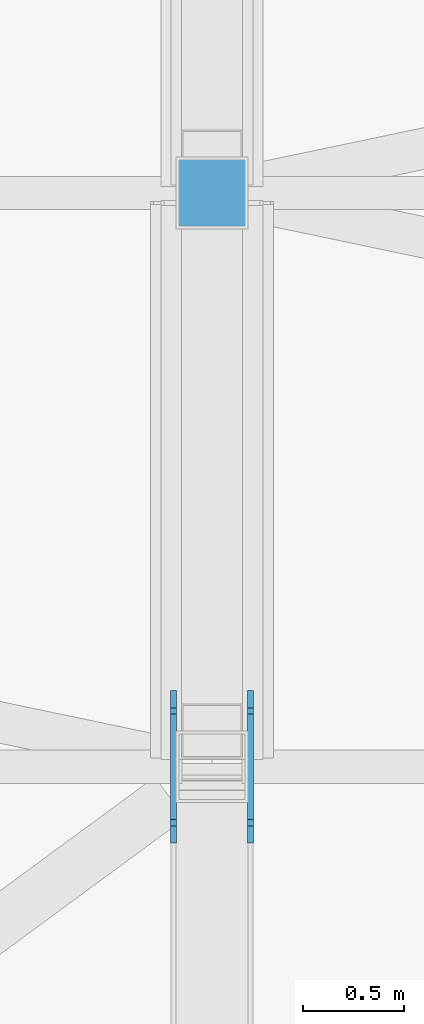
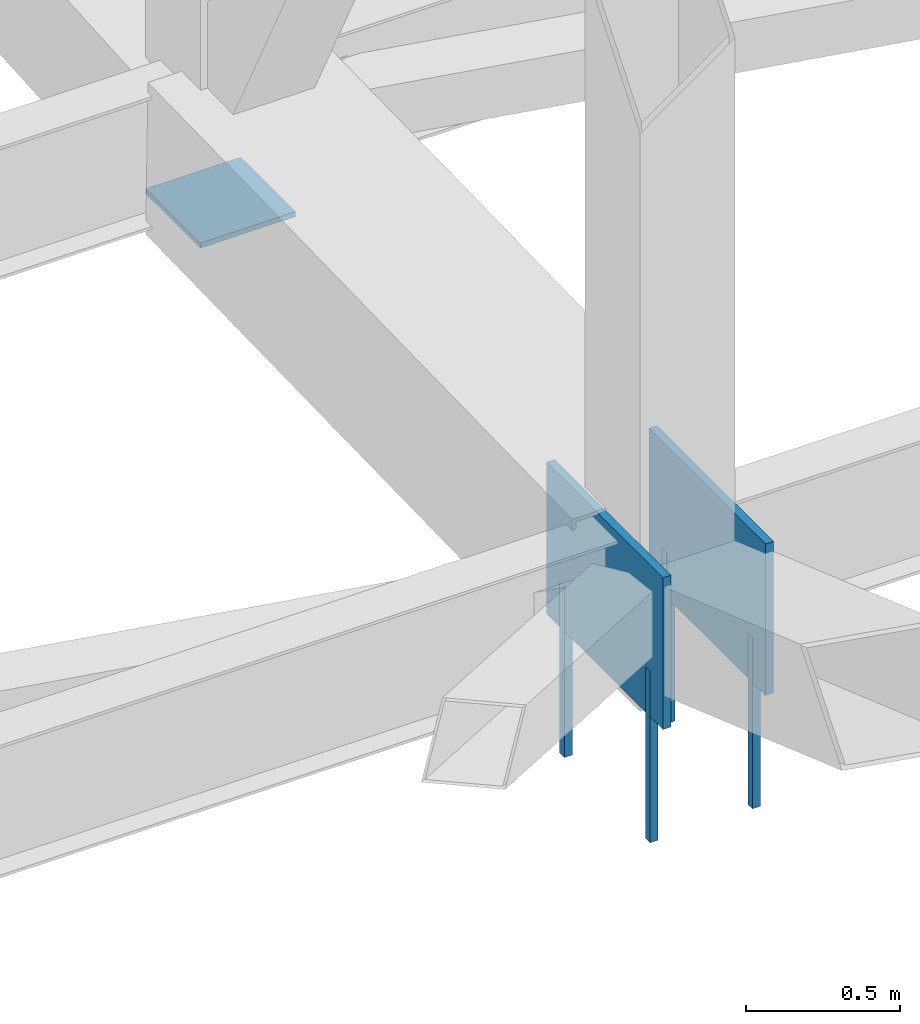
# One storey, part 134 of 278: 4 mechanical fasteners, 3 discrete accessories.
"""IFC4 building model written with IfcOpenShell, lengths in metres."""

from ifc_helpers import new_model, si_unit, direction, frame, origin, origin_2d, place, context, subcontext, project, spatial, rectangle, extrude, material, layer, layer_set, type_object, element, save


model = new_model("IFC4")

# Units and contexts
model_context = context("Model", 3, precision=1e-05, world=origin(), true_north=direction((0.0, 1.0)))
body_context = subcontext(model_context, "Body", "Model", "MODEL_VIEW")
ifc_project = project(units=[si_unit("LENGTHUNIT", "METRE"), si_unit("AREAUNIT", "SQUARE_METRE"), si_unit("VOLUMEUNIT", "CUBIC_METRE"), si_unit("PLANEANGLEUNIT", "RADIAN"), si_unit("MASSUNIT", "GRAM", prefix="KILO")], contexts=[model_context])

# Site, building, storey
site_placement = place(None, origin())
site = spatial("IfcSite", under=ifc_project, at=site_placement, CompositionType="ELEMENT")
building_placement = place(site_placement, origin())
building = spatial("IfcBuilding", under=site, at=building_placement, Name="Ogive Plaza Stadium", CompositionType="ELEMENT")
storey_placement = place(building_placement, frame((0.0, 0.0, 29.0)))
storey = spatial("IfcBuildingStorey", under=building, at=storey_placement, Name="Roof", CompositionType="ELEMENT", Elevation=29.0)

# Mechanical fasteners
ifc_material_1 = material(Name="Steel ASTM A992 Grade 50", Category="steel")
mechanical_fastener_type = type_object("IfcMechanicalFastenerType", Name="Anchor bolt M30 x 600", PredefinedType="ANCHORBOLT", material=ifc_material_1)
for number, where, z_axis, x_axis, name in (
    (1, (-20.208251953125, -92.77783203125, -0.5), (0.0, 0.0, 1.0), (0.0, -1.0, 0.0), "ANCHOR BOLT 16 BP 1.1"),
    (2, (-20.208251953125, -92.22216796875, -0.5), (0.0, 0.0, 1.0), (0.0, -1.0, 0.0), "ANCHOR BOLT 16 BP 1.2"),
    (3, (-20.591796875, -92.77783203125, -0.5), (0.0, 0.0, 1.0), (0.0, -1.0, 0.0), "ANCHOR BOLT 16 BP 2.1"),
    (4, (-20.591796875, -92.22216796875, -0.5), (0.0, 0.0, 1.0), (0.0, -1.0, 0.0), "ANCHOR BOLT 16 BP 2.2"),
):
    element("IfcMechanicalFastener", number, at=place(storey_placement, frame(where, z_axis=z_axis, x_axis=x_axis)), inside=storey, type_object=mechanical_fastener_type, Name=name, PredefinedType="ANCHORBOLT", context=body_context, shape_type="SweptSolid", body=[
        extrude(rectangle(XDim=0.030029296875, YDim=0.030029296875, at=origin_2d()), origin(), (0.0, 0.0, 1.0), 0.679931640625),
    ])

# Discrete accessories
ifc_material_2 = material(Name="Steel ASTM A992 Grade 50", Category="steel")
ifc_layer_1 = layer(ifc_material_2, 0.02001953125)
ifc_layer_set_1 = layer_set([ifc_layer_1], Name="Steel ASTM A992 Grade 50")
discrete_accessory_type_1 = type_object("IfcDiscreteAccessoryType", Name="Roof truss post cap plate 20", PredefinedType="ANCHORPLATE", material=ifc_layer_set_1)
discrete_accessory_placement = place(storey_placement, frame((-20.39990234375, -89.64990234375, 0.04541015625), z_axis=(0.0, 0.0, 1.0), x_axis=(0.0, -1.0, 0.0)))
element("IfcDiscreteAccessory", 5, at=discrete_accessory_placement, inside=storey, type_object=discrete_accessory_type_1, Name="ROOF TRUSS POST CAP PLATE 16 10", PredefinedType="ANCHORPLATE", context=body_context, shape_type="SweptSolid", body=[
    extrude(rectangle(XDim=0.355712890625, YDim=0.355712890625, at=origin_2d()), origin(), (0.0, 0.0, 1.0), 0.02001953125),
])
ifc_material_3 = material(Name="Steel ASTM A992 Grade 50", Category="steel")
ifc_layer_2 = layer(ifc_material_3, 0.030029296875)
ifc_layer_set_2 = layer_set([ifc_layer_2], Name="Steel ASTM A992 Grade 50")
discrete_accessory_type_2 = type_object("IfcDiscreteAccessoryType", Name="Truss root foot cleat plate 30", PredefinedType="ANCHORPLATE", material=ifc_layer_set_2)
for number, where, z_axis, x_axis, name in (
    (6, (-20.208251953125, -92.5, 0.0), (0.0, 0.0, 1.0), (0.0, -1.0, 0.0), "TRUSS ROOT FOOT CLEAT PLATE 16 1"),
    (7, (-20.591796875, -92.5, 0.0), (0.0, 0.0, 1.0), (0.0, -1.0, 0.0), "TRUSS ROOT FOOT CLEAT PLATE 16 2"),
):
    element("IfcDiscreteAccessory", number, at=place(storey_placement, frame(where, z_axis=z_axis, x_axis=x_axis)), inside=storey, type_object=discrete_accessory_type_2, Name=name, PredefinedType="ANCHORPLATE", context=body_context, shape_type="SweptSolid", body=[
        extrude(rectangle(XDim=0.755615234375, YDim=0.030029296875, at=origin_2d()), origin(), (0.0, 0.0, 1.0), 0.60009765625),
    ])

save(model, "model.ifc")
